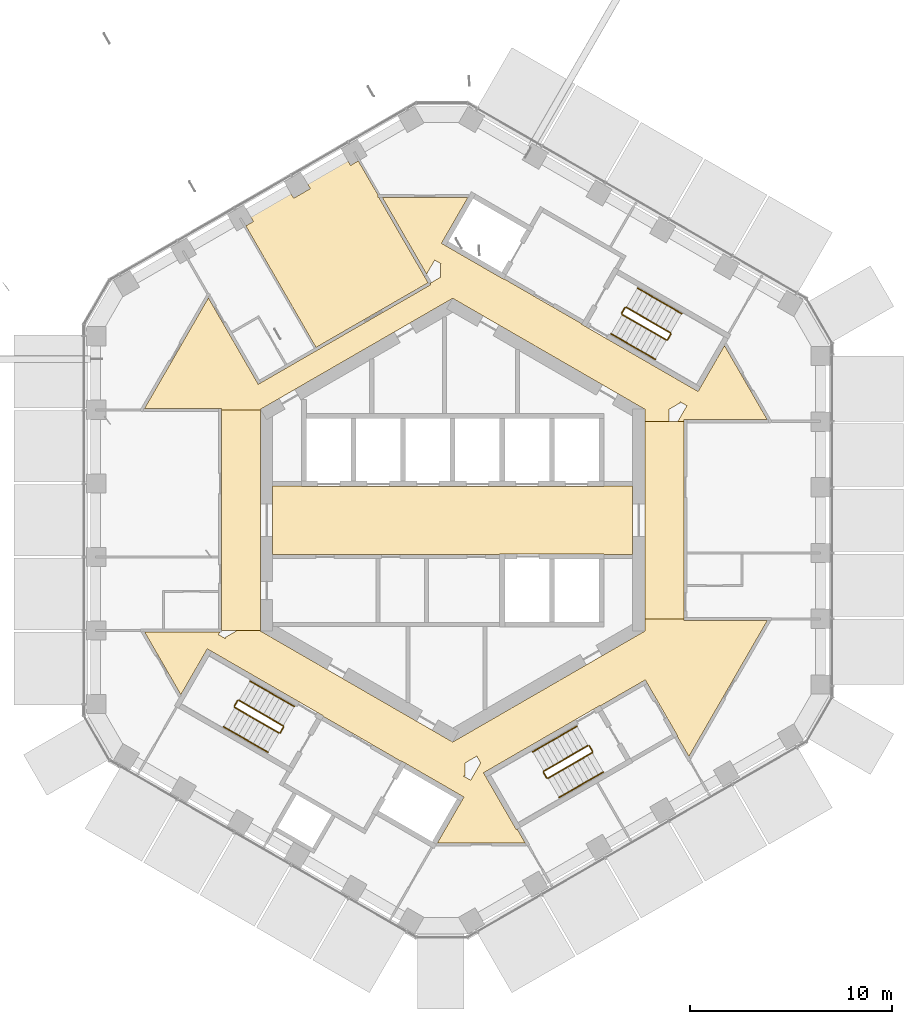
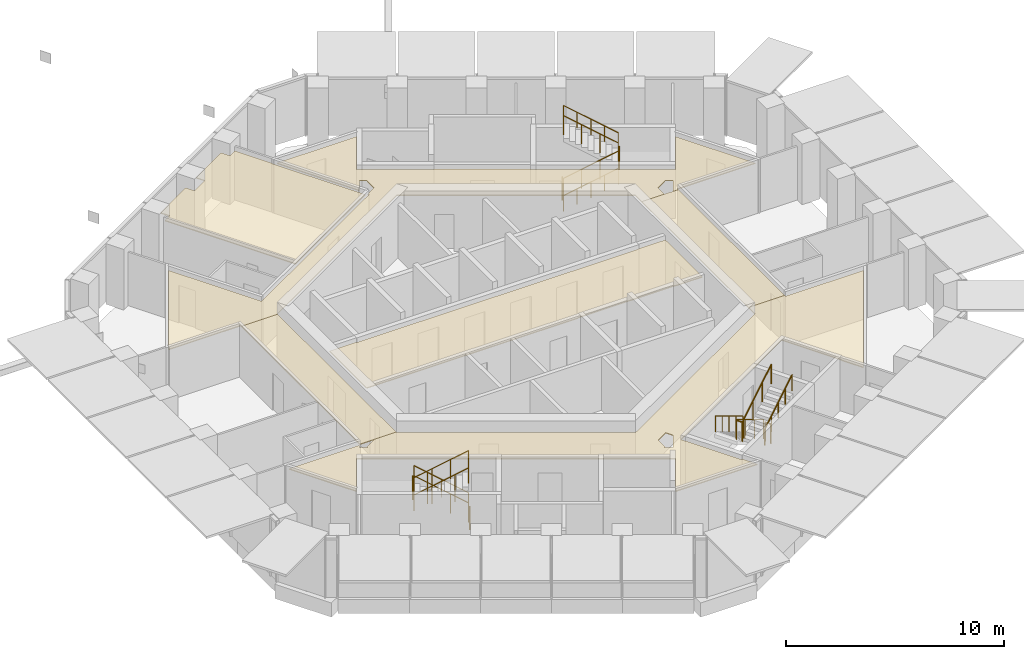
# One storey, part 21 of 21: 24 railings, 6 coverings.
"""IFC4 building model written with IfcOpenShell, lengths in metres."""

from ifc_helpers import new_model, si_unit, direction, frame, origin, origin_2d, place, context, subcontext, project, spatial, polyline, circle, outline, extrude, material, layer, layer_set, type_object, element, save


model = new_model("IFC4")

# Units and contexts
model_context = context("Model", 3, precision=1e-05, world=origin(), true_north=direction((0.0, 1.0)))
body_context = subcontext(model_context, "Body", "Model", "MODEL_VIEW")
ifc_project = project(units=[si_unit("LENGTHUNIT", "METRE"), si_unit("AREAUNIT", "SQUARE_METRE"), si_unit("VOLUMEUNIT", "CUBIC_METRE"), si_unit("PLANEANGLEUNIT", "RADIAN"), si_unit("MASSUNIT", "GRAM", prefix="KILO")], contexts=[model_context])

# Site, building, storey
site_placement = place(None, origin())
site = spatial("IfcSite", under=ifc_project, at=site_placement, CompositionType="ELEMENT")
building_placement = place(site_placement, origin())
building = spatial("IfcBuilding", under=site, at=building_placement, Name="Ayvan Gate Tower", CompositionType="ELEMENT")
storey_placement = place(building_placement, frame((0.0, 0.0, 183.300048828125)))
storey = spatial("IfcBuildingStorey", under=building, at=storey_placement, Name="L49", CompositionType="ELEMENT", Elevation=183.300048828125)

# Coverings
ifc_material_1 = material(Name="Plasterboard suspended ceiling")
ifc_layer = layer(ifc_material_1, 0.050048828125)
ifc_layer_set = layer_set([ifc_layer], Name="Plasterboard suspended ceiling")
covering_type = type_object("IfcCoveringType", Name="CT-SUSP-50", PredefinedType="CEILING", material=ifc_layer_set)
covering_1_placement = place(storey_placement, frame((0.0, 0.0, 2.699951171875)))
element("IfcCovering", 1, at=covering_1_placement, inside=storey, type_object=covering_type, Name="Ceiling Lift Lobby L49", PredefinedType="CEILING", context=body_context, shape_type="SweptSolid", body=[
    extrude(outline(polyline([(7.47509765625, -1.675048828125), (2.324951171875, -1.675048828125), (2.324951171875, -1.699951171875), (-8.89990234375, -1.699951171875), (-8.89990234375, 1.699951171875), (-7.47509765625, 1.699951171875), (-7.47509765625, 1.675048828125), (7.47509765625, 1.675048828125), (7.47509765625, 1.699951171875), (8.89990234375, 1.699951171875), (8.89990234375, -1.699951171875), (7.47509765625, -1.699951171875), (7.47509765625, -1.675048828125)])), origin(), (0.0, 0.0, 1.0), 0.050048828125),
])
covering_2_placement = place(storey_placement, frame((0.0, 0.0, 2.699951171875)))
element("IfcCovering", 2, at=covering_2_placement, inside=storey, type_object=covering_type, Name="Ceiling Gallery L49", PredefinedType="CEILING", context=body_context, shape_type="SweptSolid", body=[
    extrude(outline(polyline([(-11.914794921875, -6.48681640625), (-12.131103515625, -6.36181640625), (-13.439208984375, -8.62744140625), (-15.23291015625, -5.520751953125), (-11.501220703125, -5.520751953125), (-11.580322265625, -5.65771484375), (-11.2294921875, -5.8603515625), (-11.259765625, -5.80810546875), (-10.699951171875, -5.48486328125), (-10.699951171875, -5.44580078125), (-9.5, -5.44580078125), (-9.5, -5.48486328125), (0.0, -10.9697265625), (8.38720703125, -6.127197265625), (9.5, -5.48486328125), (9.5, -4.890625), (11.4248046875, -4.890625), (11.4248046875, -4.9658203125), (15.553466796875, -4.9658203125), (11.678466796875, -11.677490234375), (11.102294921875, -10.6796875), (11.123779296875, -10.667236328125), (9.623779296875, -8.069091796875), (9.52392578125, -7.89599609375), (7.2939453125, -9.183349609375), (7.281494140625, -9.16162109375), (1.522216796875, -12.48681640625), (1.647216796875, -12.703369140625), (3.147216796875, -15.30126953125), (3.190673828125, -15.2763671875), (3.5810546875, -15.952392578125), (-0.751953125, -15.952392578125), (0.43115234375, -13.9033203125), (0.55615234375, -13.686767578125), (-2.284423828125, -12.046630859375), (-2.518310546875, -11.91162109375), (-2.53076171875, -11.933349609375), (-6.384521484375, -9.70849609375), (-6.3720703125, -9.686767578125), (-11.91455078125, -6.48681640625), (-11.914794921875, -6.48681640625)]), holes=[polyline([(0.60009765625, -12.6552734375), (0.53955078125, -12.6552734375), (0.890380859375, -12.85791015625), (1.385498046875, -12.0), (1.193115234375, -11.66650390625), (0.60009765625, -12.0087890625), (0.60009765625, -12.6552734375)])]), origin(), (0.0, 0.0, 1.0), 0.050048828125),
])
covering_3_placement = place(storey_placement, frame((0.0, 0.0, 2.699951171875)))
element("IfcCovering", 3, at=covering_3_placement, inside=storey, type_object=covering_type, Name="Ceiling Gallery L49", PredefinedType="CEILING", context=body_context, shape_type="SweptSolid", body=[
    extrude(outline(polyline([(-1.076904296875, 11.64697265625), (-1.114501953125, 11.7119140625), (-0.60009765625, 12.0087890625), (-0.60009765625, 12.6552734375), (-0.53955078125, 12.6552734375), (-0.890380859375, 12.85791015625), (-1.2900390625, 12.165771484375), (-3.476318359375, 15.952392578125), (0.751953125, 15.952392578125), (-0.55615234375, 13.686767578125), (-0.339599609375, 13.561767578125), (2.518310546875, 11.91162109375), (2.53076171875, 11.933349609375), (6.384521484375, 9.70849609375), (6.3720703125, 9.686767578125), (6.588623046875, 9.561767578125), (12.131103515625, 6.36181640625), (12.24609375, 6.56103515625), (13.439208984375, 8.62744140625), (15.553466796875, 4.9658203125), (11.425048828125, 4.9658203125), (11.425048828125, 4.890625), (11.137451171875, 4.890625), (11.580322265625, 5.65771484375), (11.2294921875, 5.8603515625), (11.259765625, 5.80810546875), (10.699951171875, 5.48486328125), (10.699951171875, 4.890625), (9.5, 4.890625), (9.5, 5.48486328125), (0.0, 10.9697265625), (-8.985595703125, 5.781982421875), (-9.5, 5.48486328125), (-9.5, 5.44580078125), (-11.425048828125, 5.44580078125), (-11.425048828125, 5.520751953125), (-15.23291015625, 5.520751953125), (-12.0771484375, 10.98681640625), (-9.613037109375, 6.71875), (-9.48291015625, 6.793701171875), (-1.076904296875, 11.64697265625)])), origin(), (0.0, 0.0, 1.0), 0.050048828125),
])
covering_4_placement = place(storey_placement, frame((0.0, 0.0, 2.699951171875)))
element("IfcCovering", 4, at=covering_4_placement, inside=storey, type_object=covering_type, Name="Ceiling Lift Lounge Lobby L49", PredefinedType="CEILING", context=body_context, shape_type="SweptSolid", body=[
    extrude(outline(polyline([(11.4248046875, -4.890625), (9.5, -4.890625), (9.5, 4.890625), (11.425048828125, 4.890625), (11.425048828125, -4.815673828125), (11.4248046875, -4.815673828125), (11.4248046875, -4.890625)])), origin(), (0.0, 0.0, 1.0), 0.050048828125),
])
covering_5_placement = place(storey_placement, frame((0.0, 0.0, 2.699951171875)))
element("IfcCovering", 5, at=covering_5_placement, inside=storey, type_object=covering_type, Name="Ceiling Lift Lounge Lobby L49", PredefinedType="CEILING", context=body_context, shape_type="SweptSolid", body=[
    extrude(outline(polyline([(-11.4248046875, -5.370849609375), (-11.425048828125, 5.44580078125), (-9.5, 5.44580078125), (-9.5, -5.44580078125), (-11.4248046875, -5.44580078125), (-11.4248046875, -5.370849609375)])), origin(), (0.0, 0.0, 1.0), 0.050048828125),
])
covering_6_placement = place(storey_placement, frame((0.0, 0.0, 2.699951171875)))
element("IfcCovering", 6, at=covering_6_placement, inside=storey, type_object=covering_type, Name="Ceiling Social Lounge L49", PredefinedType="CEILING", context=body_context, shape_type="SweptSolid", body=[
    extrude(outline(polyline([(-10.224365234375, 14.548583984375), (-9.850341796875, 14.764404296875), (-10.087890625, 15.17578125), (-8.0986328125, 16.32421875), (-7.861083984375, 15.912841796875), (-7.03857421875, 16.3876953125), (-7.27587890625, 16.79931640625), (-5.286865234375, 17.947509765625), (-5.04931640625, 17.5361328125), (-4.66357421875, 17.759033203125), (-3.68115234375, 16.0576171875), (-3.68115234375, 15.952392578125), (-3.6494140625, 15.952392578125), (-1.398193359375, 12.05322265625), (-1.216796875, 11.7392578125), (-6.756103515625, 8.541259765625), (-10.224365234375, 14.548583984375)])), origin(), (0.0, 0.0, 1.0), 0.050048828125),
])

# Railings
ifc_material_2 = material(Name="Stainless steel balustrade", Category="steel")
railing_type_1 = type_object("IfcRailingType", Name="RL-GUARD-1100", PredefinedType="GUARDRAIL", material=ifc_material_2)
railing_1_placement = place(storey_placement, frame((8.381103515625, 10.16650390625, 0.169921875)))
element("IfcRailing", 7, at=railing_1_placement, inside=storey, type_object=railing_type_1, Name="L49 STS1 stair guard 1", PredefinedType="GUARDRAIL", context=body_context, shape_type="SweptSolid", body=[
    extrude(circle(Radius=0.02392578125, at=origin_2d()), frame((0.0, 0.0, 1.076171875), z_axis=(0.740261155115, -0.427395438142, 0.518986090067), x_axis=(0.500004791531, 0.866022637375, 0.0)), (0.0, 0.0, 1.0), 2.947998046875),
    extrude(circle(Radius=0.02099609375, at=origin_2d()), origin(), (0.0, 0.0, 1.0), 1.052001953125),
    extrude(circle(Radius=0.02099609375, at=origin_2d()), frame((0.7275390625, -0.419921875, 0.510009765625)), (0.0, 0.0, 1.0), 1.052001953125),
    extrude(circle(Radius=0.02099609375, at=origin_2d()), frame((1.454833984375, -0.840087890625, 1.02001953125)), (0.0, 0.0, 1.0), 1.052001953125),
    extrude(circle(Radius=0.02099609375, at=origin_2d()), frame((2.182373046875, -1.260009765625, 1.530029296875)), (0.0, 0.0, 1.0), 1.052001953125),
])
railing_2_placement = place(storey_placement, frame((10.6318359375, 8.9248046875, 1.699951171875)))
element("IfcRailing", 8, at=railing_2_placement, inside=storey, type_object=railing_type_1, Name="L49 STS1 stair guard 2", PredefinedType="GUARDRAIL", context=body_context, shape_type="SweptSolid", body=[
    extrude(circle(Radius=0.02392578125, at=origin_2d()), frame((0.0, 0.0, 1.076171875), z_axis=(0.499949632511, 0.866054481515, 0.0), x_axis=(-0.866054481515, 0.499949632511, 0.0)), (0.0, 0.0, 1.0), 0.31005859375),
    extrude(circle(Radius=0.02099609375, at=origin_2d()), origin(), (0.0, 0.0, 1.0), 1.052001953125),
    extrude(circle(Radius=0.02099609375, at=origin_2d()), frame((0.155029296875, 0.2685546875, 0.0)), (0.0, 0.0, 1.0), 1.052001953125),
])
railing_3_placement = place(storey_placement, frame((10.7685546875, 9.261474609375, 1.869873046875)))
element("IfcRailing", 9, at=railing_3_placement, inside=storey, type_object=railing_type_1, Name="L49 STS1 stair guard 3", PredefinedType="GUARDRAIL", context=body_context, shape_type="SweptSolid", body=[
    extrude(circle(Radius=0.02392578125, at=origin_2d()), frame((0.0, 0.0, 1.076171875), z_axis=(-0.740261155115, 0.427395438142, 0.518986090067), x_axis=(-0.500004791531, -0.866022637375, 0.0)), (0.0, 0.0, 1.0), 2.947998046875),
    extrude(circle(Radius=0.02099609375, at=origin_2d()), origin(), (0.0, 0.0, 1.0), 1.052001953125),
    extrude(circle(Radius=0.02099609375, at=origin_2d()), frame((-0.7275390625, 0.419921875, 0.510009765625)), (0.0, 0.0, 1.0), 1.052001953125),
    extrude(circle(Radius=0.02099609375, at=origin_2d()), frame((-1.454833984375, 0.840087890625, 1.02001953125)), (0.0, 0.0, 1.0), 1.052001953125),
    extrude(circle(Radius=0.02099609375, at=origin_2d()), frame((-2.182373046875, 1.260009765625, 1.530029296875)), (0.0, 0.0, 1.0), 1.052001953125),
])
railing_4_placement = place(storey_placement, frame((8.36279296875, 10.23486328125, 0.0)))
element("IfcRailing", 10, at=railing_4_placement, inside=storey, type_object=railing_type_1, Name="L49 STS1 stair guard 4", PredefinedType="GUARDRAIL", context=body_context, shape_type="SweptSolid", body=[
    extrude(circle(Radius=0.02392578125, at=origin_2d()), frame((0.0, 0.0, 1.076171875), z_axis=(0.500290723946, 0.86585748916, 0.0), x_axis=(-0.86585748916, 0.500290723946, 0.0)), (0.0, 0.0, 1.0), 0.309814453125),
    extrude(circle(Radius=0.02099609375, at=origin_2d()), origin(), (0.0, 0.0, 1.0), 1.052001953125),
    extrude(circle(Radius=0.02099609375, at=origin_2d()), frame((0.155029296875, 0.268310546875, 0.0)), (0.0, 0.0, 1.0), 1.052001953125),
])
railing_5_placement = place(storey_placement, frame((-8.381103515625, -10.16650390625, 0.169921875)))
element("IfcRailing", 11, at=railing_5_placement, inside=storey, type_object=railing_type_1, Name="L49 STS2 stair guard 1", PredefinedType="GUARDRAIL", context=body_context, shape_type="SweptSolid", body=[
    extrude(circle(Radius=0.02392578125, at=origin_2d()), frame((0.0, 0.0, 1.076171875), z_axis=(-0.740261155115, 0.427395438142, 0.518986090067), x_axis=(-0.500004791531, -0.866022637375, 0.0)), (0.0, 0.0, 1.0), 2.947998046875),
    extrude(circle(Radius=0.02099609375, at=origin_2d()), origin(), (0.0, 0.0, 1.0), 1.052001953125),
    extrude(circle(Radius=0.02099609375, at=origin_2d()), frame((-0.7275390625, 0.419921875, 0.510009765625)), (0.0, 0.0, 1.0), 1.052001953125),
    extrude(circle(Radius=0.02099609375, at=origin_2d()), frame((-1.454833984375, 0.840087890625, 1.02001953125)), (0.0, 0.0, 1.0), 1.052001953125),
    extrude(circle(Radius=0.02099609375, at=origin_2d()), frame((-2.182373046875, 1.260009765625, 1.530029296875)), (0.0, 0.0, 1.0), 1.052001953125),
])
railing_6_placement = place(storey_placement, frame((-10.6318359375, -8.9248046875, 1.699951171875)))
element("IfcRailing", 12, at=railing_6_placement, inside=storey, type_object=railing_type_1, Name="L49 STS2 stair guard 2", PredefinedType="GUARDRAIL", context=body_context, shape_type="SweptSolid", body=[
    extrude(circle(Radius=0.02392578125, at=origin_2d()), frame((0.0, 0.0, 1.076171875), z_axis=(-0.499949632511, -0.866054481515, 0.0), x_axis=(0.866054481515, -0.499949632511, 0.0)), (0.0, 0.0, 1.0), 0.31005859375),
    extrude(circle(Radius=0.02099609375, at=origin_2d()), origin(), (0.0, 0.0, 1.0), 1.052001953125),
    extrude(circle(Radius=0.02099609375, at=origin_2d()), frame((-0.155029296875, -0.2685546875, 0.0)), (0.0, 0.0, 1.0), 1.052001953125),
])
railing_7_placement = place(storey_placement, frame((-10.7685546875, -9.261474609375, 1.869873046875)))
element("IfcRailing", 13, at=railing_7_placement, inside=storey, type_object=railing_type_1, Name="L49 STS2 stair guard 3", PredefinedType="GUARDRAIL", context=body_context, shape_type="SweptSolid", body=[
    extrude(circle(Radius=0.02392578125, at=origin_2d()), frame((0.0, 0.0, 1.076171875), z_axis=(0.740261155115, -0.427395438142, 0.518986090067), x_axis=(0.500004791531, 0.866022637375, 0.0)), (0.0, 0.0, 1.0), 2.947998046875),
    extrude(circle(Radius=0.02099609375, at=origin_2d()), origin(), (0.0, 0.0, 1.0), 1.052001953125),
    extrude(circle(Radius=0.02099609375, at=origin_2d()), frame((0.7275390625, -0.419921875, 0.510009765625)), (0.0, 0.0, 1.0), 1.052001953125),
    extrude(circle(Radius=0.02099609375, at=origin_2d()), frame((1.454833984375, -0.840087890625, 1.02001953125)), (0.0, 0.0, 1.0), 1.052001953125),
    extrude(circle(Radius=0.02099609375, at=origin_2d()), frame((2.182373046875, -1.260009765625, 1.530029296875)), (0.0, 0.0, 1.0), 1.052001953125),
])
railing_8_placement = place(storey_placement, frame((-8.36279296875, -10.23486328125, 0.0)))
element("IfcRailing", 14, at=railing_8_placement, inside=storey, type_object=railing_type_1, Name="L49 STS2 stair guard 4", PredefinedType="GUARDRAIL", context=body_context, shape_type="SweptSolid", body=[
    extrude(circle(Radius=0.02392578125, at=origin_2d()), frame((0.0, 0.0, 1.076171875), z_axis=(-0.500290723946, -0.86585748916, 0.0), x_axis=(0.86585748916, -0.500290723946, 0.0)), (0.0, 0.0, 1.0), 0.309814453125),
    extrude(circle(Radius=0.02099609375, at=origin_2d()), origin(), (0.0, 0.0, 1.0), 1.052001953125),
    extrude(circle(Radius=0.02099609375, at=origin_2d()), frame((-0.155029296875, -0.268310546875, 0.0)), (0.0, 0.0, 1.0), 1.052001953125),
])
railing_9_placement = place(storey_placement, frame((6.6923828125, -11.1416015625, 0.169921875)))
element("IfcRailing", 15, at=railing_9_placement, inside=storey, type_object=railing_type_1, Name="L49 STS3 stair guard 1", PredefinedType="GUARDRAIL", context=body_context, shape_type="SweptSolid", body=[
    extrude(circle(Radius=0.02392578125, at=origin_2d()), frame((0.0, 0.0, 1.076171875), z_axis=(-0.740261155115, -0.427395438142, 0.518986090067), x_axis=(0.500004791531, -0.866022637375, 0.0)), (0.0, 0.0, 1.0), 2.947998046875),
    extrude(circle(Radius=0.02099609375, at=origin_2d()), origin(), (0.0, 0.0, 1.0), 1.052001953125),
    extrude(circle(Radius=0.02099609375, at=origin_2d()), frame((-0.7275390625, -0.419921875, 0.510009765625)), (0.0, 0.0, 1.0), 1.052001953125),
    extrude(circle(Radius=0.02099609375, at=origin_2d()), frame((-1.454833984375, -0.840087890625, 1.02001953125)), (0.0, 0.0, 1.0), 1.052001953125),
    extrude(circle(Radius=0.02099609375, at=origin_2d()), frame((-2.182373046875, -1.260009765625, 1.530029296875)), (0.0, 0.0, 1.0), 1.052001953125),
])
railing_10_placement = place(storey_placement, frame((4.49169921875, -12.4697265625, 1.699951171875)))
element("IfcRailing", 16, at=railing_10_placement, inside=storey, type_object=railing_type_1, Name="L49 STS3 stair guard 2", PredefinedType="GUARDRAIL", context=body_context, shape_type="SweptSolid", body=[
    extrude(circle(Radius=0.02392578125, at=origin_2d()), frame((0.0, 0.0, 1.076171875), z_axis=(0.499949632511, -0.866054481515, 0.0), x_axis=(0.866054481515, 0.499949632511, 0.0)), (0.0, 0.0, 1.0), 0.31005859375),
    extrude(circle(Radius=0.02099609375, at=origin_2d()), origin(), (0.0, 0.0, 1.0), 1.052001953125),
    extrude(circle(Radius=0.02099609375, at=origin_2d()), frame((0.155029296875, -0.2685546875, 0.0)), (0.0, 0.0, 1.0), 1.052001953125),
])
railing_11_placement = place(storey_placement, frame((4.715087890625, -12.756591796875, 1.869873046875)))
element("IfcRailing", 17, at=railing_11_placement, inside=storey, type_object=railing_type_1, Name="L49 STS3 stair guard 3", PredefinedType="GUARDRAIL", context=body_context, shape_type="SweptSolid", body=[
    extrude(circle(Radius=0.02392578125, at=origin_2d()), frame((0.0, 0.0, 1.076171875), z_axis=(0.740261155115, 0.427395438142, 0.518986090067), x_axis=(-0.500004791531, 0.866022637375, 0.0)), (0.0, 0.0, 1.0), 2.947998046875),
    extrude(circle(Radius=0.02099609375, at=origin_2d()), origin(), (0.0, 0.0, 1.0), 1.052001953125),
    extrude(circle(Radius=0.02099609375, at=origin_2d()), frame((0.7275390625, 0.419921875, 0.510009765625)), (0.0, 0.0, 1.0), 1.052001953125),
    extrude(circle(Radius=0.02099609375, at=origin_2d()), frame((1.454833984375, 0.840087890625, 1.02001953125)), (0.0, 0.0, 1.0), 1.052001953125),
    extrude(circle(Radius=0.02099609375, at=origin_2d()), frame((2.182373046875, 1.260009765625, 1.530029296875)), (0.0, 0.0, 1.0), 1.052001953125),
])
railing_12_placement = place(storey_placement, frame((6.7607421875, -11.159912109375, 0.0)))
element("IfcRailing", 18, at=railing_12_placement, inside=storey, type_object=railing_type_1, Name="L49 STS3 stair guard 4", PredefinedType="GUARDRAIL", context=body_context, shape_type="SweptSolid", body=[
    extrude(circle(Radius=0.02392578125, at=origin_2d()), frame((0.0, 0.0, 1.076171875), z_axis=(0.500290723946, -0.86585748916, 0.0), x_axis=(0.86585748916, 0.500290723946, 0.0)), (0.0, 0.0, 1.0), 0.309814453125),
    extrude(circle(Radius=0.02099609375, at=origin_2d()), origin(), (0.0, 0.0, 1.0), 1.052001953125),
    extrude(circle(Radius=0.02099609375, at=origin_2d()), frame((0.155029296875, -0.268310546875, 0.0)), (0.0, 0.0, 1.0), 1.052001953125),
])
railing_type_2 = type_object("IfcRailingType", Name="RL-HANDRAIL-900", PredefinedType="HANDRAIL", material=ifc_material_2)
railing_13_placement = place(storey_placement, frame((7.8310546875, 9.2138671875, 0.169921875)))
element("IfcRailing", 19, at=railing_13_placement, inside=storey, type_object=railing_type_2, Name="L49 STS1 stair handrail 1", PredefinedType="HANDRAIL", context=body_context, shape_type="SweptSolid", body=[
    extrude(circle(Radius=0.02392578125, at=origin_2d()), frame((0.0, 0.0, 0.8759765625), z_axis=(0.740292964666, -0.42728318766, 0.519033143459), x_axis=(0.499890179513, 0.866088799389, 0.0)), (0.0, 0.0, 1.0), 1.47412109375),
    extrude(circle(Radius=0.02099609375, at=origin_2d()), origin(), (0.0, 0.0, 1.0), 0.851806640625),
    extrude(circle(Radius=0.02099609375, at=origin_2d()), frame((0.545654296875, -0.31494140625, 0.382568359375)), (0.0, 0.0, 1.0), 0.851806640625),
    extrude(circle(Radius=0.02099609375, at=origin_2d()), frame((1.09130859375, -0.6298828125, 0.76513671875)), (0.0, 0.0, 1.0), 0.851806640625),
])
railing_14_placement = place(storey_placement, frame((8.92236328125, 8.583984375, 0.93505859375)))
element("IfcRailing", 20, at=railing_14_placement, inside=storey, type_object=railing_type_2, Name="L49 STS1 stair handrail 2", PredefinedType="HANDRAIL", context=body_context, shape_type="SweptSolid", body=[
    extrude(circle(Radius=0.02392578125, at=origin_2d()), frame((0.0, 0.0, 0.8759765625), z_axis=(0.740229329464, -0.427507697325, 0.518939021976), x_axis=(0.50011940292, 0.865956455501, 0.0)), (0.0, 0.0, 1.0), 1.473876953125),
    extrude(circle(Radius=0.02099609375, at=origin_2d()), origin(), (0.0, 0.0, 1.0), 0.851806640625),
    extrude(circle(Radius=0.02099609375, at=origin_2d()), frame((0.54541015625, -0.31494140625, 0.38232421875)), (0.0, 0.0, 1.0), 0.851806640625),
    extrude(circle(Radius=0.02099609375, at=origin_2d()), frame((1.091064453125, -0.630126953125, 0.764892578125)), (0.0, 0.0, 1.0), 0.851806640625),
])
railing_15_placement = place(storey_placement, frame((11.318603515625, 10.214111328125, 1.869873046875)))
element("IfcRailing", 21, at=railing_15_placement, inside=storey, type_object=railing_type_2, Name="L49 STS1 stair handrail 3", PredefinedType="HANDRAIL", context=body_context, shape_type="SweptSolid", body=[
    extrude(circle(Radius=0.02392578125, at=origin_2d()), frame((0.0, 0.0, 0.8759765625), z_axis=(-0.740240574041, 0.427418550694, 0.518996411419), x_axis=(-0.500035496587, -0.86600490885, 0.0)), (0.0, 0.0, 1.0), 1.474365234375),
    extrude(circle(Radius=0.02099609375, at=origin_2d()), origin(), (0.0, 0.0, 1.0), 0.851806640625),
    extrude(circle(Radius=0.02099609375, at=origin_2d()), frame((-0.545654296875, 0.31494140625, 0.382568359375)), (0.0, 0.0, 1.0), 0.851806640625),
    extrude(circle(Radius=0.02099609375, at=origin_2d()), frame((-1.09130859375, 0.630126953125, 0.76513671875)), (0.0, 0.0, 1.0), 0.851806640625),
])
railing_16_placement = place(storey_placement, frame((10.227294921875, 10.84423828125, 2.635009765625)))
element("IfcRailing", 22, at=railing_16_placement, inside=storey, type_object=railing_type_2, Name="L49 STS1 stair handrail 4", PredefinedType="HANDRAIL", context=body_context, shape_type="SweptSolid", body=[
    extrude(circle(Radius=0.02392578125, at=origin_2d()), frame((0.0, 0.0, 0.8759765625), z_axis=(-0.740356597536, 0.427319915356, 0.518912129772), x_axis=(-0.499890179513, -0.866088799389, 0.0)), (0.0, 0.0, 1.0), 1.47412109375),
    extrude(circle(Radius=0.02099609375, at=origin_2d()), origin(), (0.0, 0.0, 1.0), 0.851806640625),
    extrude(circle(Radius=0.02099609375, at=origin_2d()), frame((-0.545654296875, 0.31494140625, 0.38232421875)), (0.0, 0.0, 1.0), 0.851806640625),
    extrude(circle(Radius=0.02099609375, at=origin_2d()), frame((-1.09130859375, 0.6298828125, 0.764892578125)), (0.0, 0.0, 1.0), 0.851806640625),
])
railing_17_placement = place(storey_placement, frame((-7.8310546875, -9.2138671875, 0.169921875)))
element("IfcRailing", 23, at=railing_17_placement, inside=storey, type_object=railing_type_2, Name="L49 STS2 stair handrail 1", PredefinedType="HANDRAIL", context=body_context, shape_type="SweptSolid", body=[
    extrude(circle(Radius=0.02392578125, at=origin_2d()), frame((0.0, 0.0, 0.8759765625), z_axis=(-0.740292964666, 0.42728318766, 0.519033143459), x_axis=(-0.499890179513, -0.866088799389, 0.0)), (0.0, 0.0, 1.0), 1.47412109375),
    extrude(circle(Radius=0.02099609375, at=origin_2d()), origin(), (0.0, 0.0, 1.0), 0.851806640625),
    extrude(circle(Radius=0.02099609375, at=origin_2d()), frame((-0.545654296875, 0.31494140625, 0.382568359375)), (0.0, 0.0, 1.0), 0.851806640625),
    extrude(circle(Radius=0.02099609375, at=origin_2d()), frame((-1.09130859375, 0.6298828125, 0.76513671875)), (0.0, 0.0, 1.0), 0.851806640625),
])
railing_18_placement = place(storey_placement, frame((-8.92236328125, -8.583984375, 0.93505859375)))
element("IfcRailing", 24, at=railing_18_placement, inside=storey, type_object=railing_type_2, Name="L49 STS2 stair handrail 2", PredefinedType="HANDRAIL", context=body_context, shape_type="SweptSolid", body=[
    extrude(circle(Radius=0.02392578125, at=origin_2d()), frame((0.0, 0.0, 0.8759765625), z_axis=(-0.740229329464, 0.427507697325, 0.518939021976), x_axis=(-0.50011940292, -0.865956455501, 0.0)), (0.0, 0.0, 1.0), 1.473876953125),
    extrude(circle(Radius=0.02099609375, at=origin_2d()), origin(), (0.0, 0.0, 1.0), 0.851806640625),
    extrude(circle(Radius=0.02099609375, at=origin_2d()), frame((-0.54541015625, 0.31494140625, 0.38232421875)), (0.0, 0.0, 1.0), 0.851806640625),
    extrude(circle(Radius=0.02099609375, at=origin_2d()), frame((-1.091064453125, 0.630126953125, 0.764892578125)), (0.0, 0.0, 1.0), 0.851806640625),
])
railing_19_placement = place(storey_placement, frame((-11.318603515625, -10.214111328125, 1.869873046875)))
element("IfcRailing", 25, at=railing_19_placement, inside=storey, type_object=railing_type_2, Name="L49 STS2 stair handrail 3", PredefinedType="HANDRAIL", context=body_context, shape_type="SweptSolid", body=[
    extrude(circle(Radius=0.02392578125, at=origin_2d()), frame((0.0, 0.0, 0.8759765625), z_axis=(0.740240574041, -0.427418550694, 0.518996411419), x_axis=(0.500035496587, 0.86600490885, 0.0)), (0.0, 0.0, 1.0), 1.474365234375),
    extrude(circle(Radius=0.02099609375, at=origin_2d()), origin(), (0.0, 0.0, 1.0), 0.851806640625),
    extrude(circle(Radius=0.02099609375, at=origin_2d()), frame((0.545654296875, -0.31494140625, 0.382568359375)), (0.0, 0.0, 1.0), 0.851806640625),
    extrude(circle(Radius=0.02099609375, at=origin_2d()), frame((1.09130859375, -0.630126953125, 0.76513671875)), (0.0, 0.0, 1.0), 0.851806640625),
])
railing_20_placement = place(storey_placement, frame((-10.227294921875, -10.84423828125, 2.635009765625)))
element("IfcRailing", 26, at=railing_20_placement, inside=storey, type_object=railing_type_2, Name="L49 STS2 stair handrail 4", PredefinedType="HANDRAIL", context=body_context, shape_type="SweptSolid", body=[
    extrude(circle(Radius=0.02392578125, at=origin_2d()), frame((0.0, 0.0, 0.8759765625), z_axis=(0.740356597536, -0.427319915356, 0.518912129772), x_axis=(0.499890179513, 0.866088799389, 0.0)), (0.0, 0.0, 1.0), 1.47412109375),
    extrude(circle(Radius=0.02099609375, at=origin_2d()), origin(), (0.0, 0.0, 1.0), 0.851806640625),
    extrude(circle(Radius=0.02099609375, at=origin_2d()), frame((0.545654296875, -0.31494140625, 0.38232421875)), (0.0, 0.0, 1.0), 0.851806640625),
    extrude(circle(Radius=0.02099609375, at=origin_2d()), frame((1.09130859375, -0.6298828125, 0.764892578125)), (0.0, 0.0, 1.0), 0.851806640625),
])
railing_21_placement = place(storey_placement, frame((6.142333984375, -10.18896484375, 0.169921875)))
element("IfcRailing", 27, at=railing_21_placement, inside=storey, type_object=railing_type_2, Name="L49 STS3 stair handrail 1", PredefinedType="HANDRAIL", context=body_context, shape_type="SweptSolid", body=[
    extrude(circle(Radius=0.02392578125, at=origin_2d()), frame((0.0, 0.0, 0.8759765625), z_axis=(-0.740218099111, -0.427335577468, 0.519096782863), x_axis=(0.499974077718, -0.866040369504, 0.0)), (0.0, 0.0, 1.0), 1.473876953125),
    extrude(circle(Radius=0.02099609375, at=origin_2d()), origin(), (0.0, 0.0, 1.0), 0.851806640625),
    extrude(circle(Radius=0.02099609375, at=origin_2d()), frame((-0.54541015625, -0.31494140625, 0.382568359375)), (0.0, 0.0, 1.0), 0.851806640625),
    extrude(circle(Radius=0.02099609375, at=origin_2d()), frame((-1.091064453125, -0.6298828125, 0.76513671875)), (0.0, 0.0, 1.0), 0.851806640625),
])
railing_22_placement = place(storey_placement, frame((5.05126953125, -10.81884765625, 0.93505859375)))
element("IfcRailing", 28, at=railing_22_placement, inside=storey, type_object=railing_type_2, Name="L49 STS3 stair handrail 2", PredefinedType="HANDRAIL", context=body_context, shape_type="SweptSolid", body=[
    extrude(circle(Radius=0.02392578125, at=origin_2d()), frame((0.0, 0.0, 0.8759765625), z_axis=(-0.740304193401, -0.427455284825, 0.518875399983), x_axis=(0.500035496587, -0.86600490885, 0.0)), (0.0, 0.0, 1.0), 1.47412109375),
    extrude(circle(Radius=0.02099609375, at=origin_2d()), origin(), (0.0, 0.0, 1.0), 0.851806640625),
    extrude(circle(Radius=0.02099609375, at=origin_2d()), frame((-0.545654296875, -0.31494140625, 0.38232421875)), (0.0, 0.0, 1.0), 0.851806640625),
    extrude(circle(Radius=0.02099609375, at=origin_2d()), frame((-1.09130859375, -0.630126953125, 0.764892578125)), (0.0, 0.0, 1.0), 0.851806640625),
])
railing_23_placement = place(storey_placement, frame((5.264892578125, -13.709228515625, 1.869873046875)))
element("IfcRailing", 29, at=railing_23_placement, inside=storey, type_object=railing_type_2, Name="L49 STS3 stair handrail 3", PredefinedType="HANDRAIL", context=body_context, shape_type="SweptSolid", body=[
    extrude(circle(Radius=0.02392578125, at=origin_2d()), frame((0.0, 0.0, 0.8759765625), z_axis=(0.740240574041, 0.427418550694, 0.518996411419), x_axis=(-0.500035496587, 0.86600490885, 0.0)), (0.0, 0.0, 1.0), 1.474365234375),
    extrude(circle(Radius=0.02099609375, at=origin_2d()), origin(), (0.0, 0.0, 1.0), 0.851806640625),
    extrude(circle(Radius=0.02099609375, at=origin_2d()), frame((0.545654296875, 0.31494140625, 0.382568359375)), (0.0, 0.0, 1.0), 0.851806640625),
    extrude(circle(Radius=0.02099609375, at=origin_2d()), frame((1.09130859375, 0.630126953125, 0.76513671875)), (0.0, 0.0, 1.0), 0.851806640625),
])
railing_24_placement = place(storey_placement, frame((6.356201171875, -13.0791015625, 2.635009765625)))
element("IfcRailing", 30, at=railing_24_placement, inside=storey, type_object=railing_type_2, Name="L49 STS3 stair handrail 4", PredefinedType="HANDRAIL", context=body_context, shape_type="SweptSolid", body=[
    extrude(circle(Radius=0.02392578125, at=origin_2d()), frame((0.0, 0.0, 0.8759765625), z_axis=(0.740281741151, 0.427372318678, 0.518975765278), x_axis=(-0.499974077718, 0.866040369504, 0.0)), (0.0, 0.0, 1.0), 1.473876953125),
    extrude(circle(Radius=0.02099609375, at=origin_2d()), origin(), (0.0, 0.0, 1.0), 0.851806640625),
    extrude(circle(Radius=0.02099609375, at=origin_2d()), frame((0.54541015625, 0.31494140625, 0.38232421875)), (0.0, 0.0, 1.0), 0.851806640625),
    extrude(circle(Radius=0.02099609375, at=origin_2d()), frame((1.091064453125, 0.6298828125, 0.764892578125)), (0.0, 0.0, 1.0), 0.851806640625),
])

save(model, "model.ifc")
